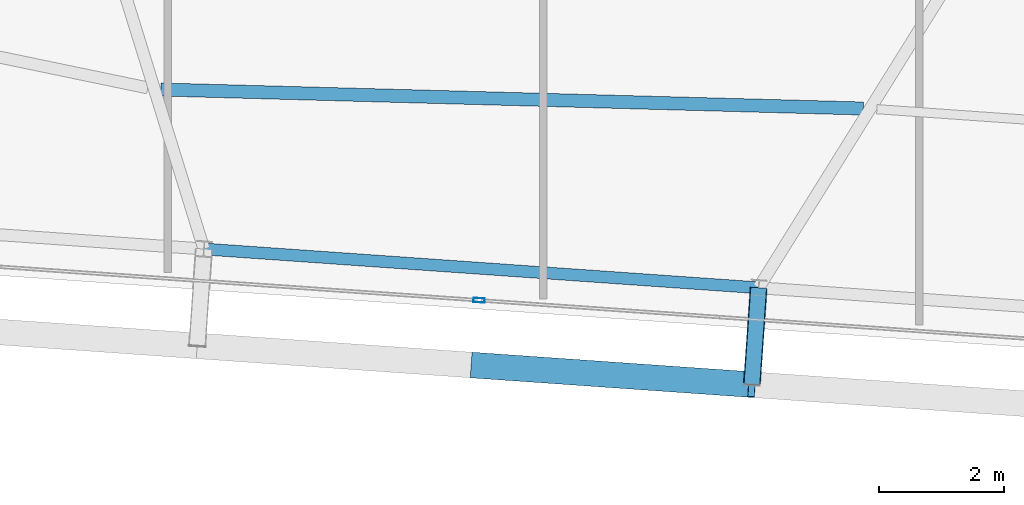
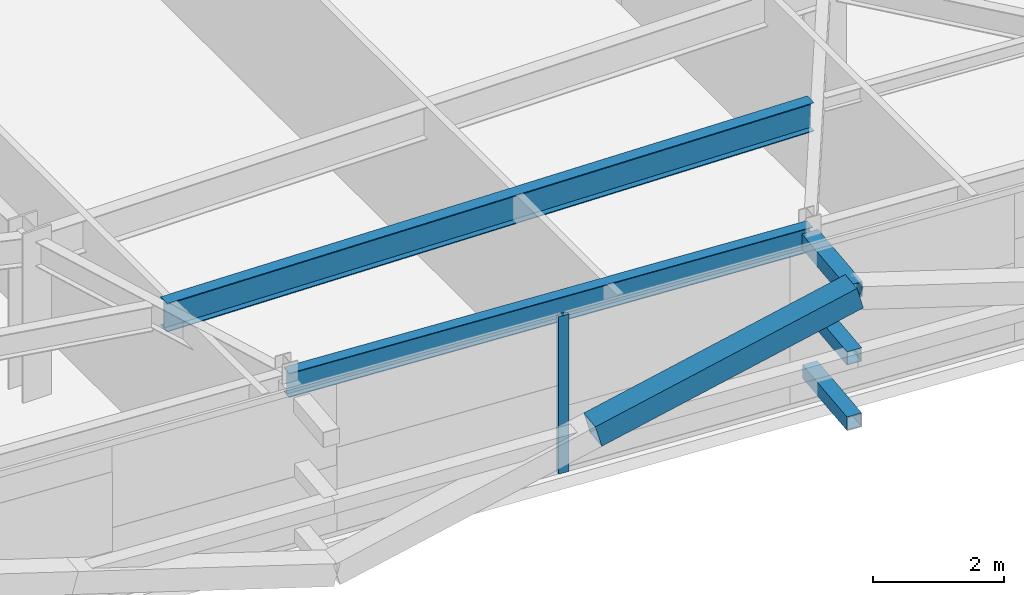
# One storey, part 9 of 39: 5 members, 2 beams, 1 element without a shape of its own.
"""IFC4 building model written with IfcOpenShell, lengths in metres."""

from ifc_helpers import new_model, si_unit, direction, frame, origin, origin_2d, place, context, subcontext, project, spatial, hollow_rectangle, i_section, extrude, source, transform, mapped, material, layer, layer_set, material_profile, profile_set, type_object, element, aggregate, save


model = new_model("IFC4")

# Units and contexts
model_context = context("Model", 3, precision=1e-05, world=origin(), true_north=direction((0.0, 1.0)))
body_context = subcontext(model_context, "Body", "Model", "MODEL_VIEW")
ifc_project = project(units=[si_unit("LENGTHUNIT", "METRE"), si_unit("AREAUNIT", "SQUARE_METRE"), si_unit("VOLUMEUNIT", "CUBIC_METRE"), si_unit("PLANEANGLEUNIT", "RADIAN"), si_unit("MASSUNIT", "GRAM", prefix="KILO")], contexts=[model_context])

# Site, building, storey
site_placement = place(None, origin())
site = spatial("IfcSite", under=ifc_project, at=site_placement, CompositionType="ELEMENT")
building_placement = place(site_placement, origin())
building = spatial("IfcBuilding", under=site, at=building_placement, Name="Taldren Reach Tower", CompositionType="ELEMENT")
storey_placement = place(building_placement, frame((0.0, 0.0, 120.39990234375)))
storey = spatial("IfcBuildingStorey", under=building, at=storey_placement, Name="L36", CompositionType="ELEMENT", Elevation=120.39990234375)

# Members
ifc_material_1 = material(Name="Steel Gr 450 (C450L0)", Category="steel")
ifc_material_profile_1 = material_profile(ifc_material_1, hollow_rectangle(XDim=0.27490234375, YDim=0.27490234375, WallThickness=0.00927734375, at=origin_2d()), Name="275x275x9.3SHS")
ifc_profile_set_1 = profile_set([ifc_material_profile_1], Name="Steel Gr 450 (C450L0)")
member_type_1 = type_object("IfcMemberType", Name="MB-TIE273", PredefinedType="STRUT", material=ifc_profile_set_1)
shared_shape_1 = source(origin(), body_context, "Body", "SweptSolid", [
    extrude(hollow_rectangle(XDim=0.27490234375, YDim=0.27490234375, WallThickness=0.00927734375, at=origin_2d()), origin(), (0.0, 0.0, 1.0), 1.550048828125),
])
member_1_placement = place(storey_placement, frame((38.438720703125, 3.480224609375, 2.650146484375), z_axis=(-0.06976957191, -0.99756313426, 0.0), x_axis=(0.99756313426, -0.06976957191, 0.0)))
element("IfcMember", 1, at=member_1_placement, inside=storey, type_object=member_type_1, Name="Exoskeleton diaphragm tie strut B3-S4 L36", PredefinedType="STRUT", context=body_context, shape_type="MappedRepresentation", body=[
    mapped(shared_shape_1, transform((0.0, 0.0, 0.0), scale=1.0)),
])
ifc_material_2 = material(Name="Steel Gr 350 (C350L0)", Category="steel")
ifc_material_profile_2 = material_profile(ifc_material_2, hollow_rectangle(XDim=0.25, YDim=0.25, WallThickness=0.010009765625, at=origin_2d()), Name="250x250x10.0SHS")
ifc_profile_set_2 = profile_set([ifc_material_profile_2], Name="Steel Gr 350 (C350L0)")
member_type_2 = type_object("IfcMemberType", Name="MB-POST250", PredefinedType="POST", material=ifc_profile_set_2)
shared_shape_2 = source(origin(), body_context, "Body", "SweptSolid", [
    extrude(hollow_rectangle(XDim=0.25, YDim=0.25, WallThickness=0.010009765625, at=origin_2d()), origin(), (0.0, 0.0, 1.0), 1.550048828125),
])
for number, where, z_axis, x_axis, name in (
    (2, (38.438720703125, 3.480224609375, 0.22021484375), (-0.06976957191, -0.99756313426, 0.0), (0.99756313426, -0.06976957191, 0.0), "Exoskeleton base diaphragm tie strut B3-S4 L36"),
    (3, (38.438720703125, 3.480224609375, 1.43505859375), (-0.06976957191, -0.99756313426, 0.0), (0.99756313426, -0.06976957191, 0.0), "Exoskeleton mid-tier diaphragm tie B3-S4 L36"),
):
    element("IfcMember", number, at=place(storey_placement, frame(where, z_axis=z_axis, x_axis=x_axis)), inside=storey, type_object=member_type_2, Name=name, PredefinedType="POST", context=body_context, shape_type="MappedRepresentation", body=[
        mapped(shared_shape_2, transform((0.0, 0.0, 0.0), scale=1.0)),
    ])

# Beams
ifc_material_3 = material(Name="Steel Gr 350 (350PLUS)", Category="steel")
ifc_material_profile_3 = material_profile(ifc_material_3, i_section(OverallWidth=0.18994140625, OverallDepth=0.4541015625, WebThickness=0.008544921875, FlangeThickness=0.0126953125, at=origin_2d()), Name="460UB67.1")
ifc_profile_set_3 = profile_set([ifc_material_profile_3], Name="Steel Gr 350 (350PLUS)")
beam_type_1 = type_object("IfcBeamType", Name="SP-UB460B", PredefinedType="SPANDREL", material=ifc_profile_set_3)
shared_shape_3 = source(origin(), body_context, "Body", "SweptSolid", [
    extrude(i_section(OverallWidth=0.18994140625, OverallDepth=0.4541015625, WebThickness=0.008544921875, FlangeThickness=0.0126953125, at=origin_2d()), origin(), (0.0, 0.0, 1.0), 8.880126953125),
])
beam_1_placement = place(storey_placement, frame((29.580322265625, 4.099609375, 2.703125), z_axis=(0.997564479639, -0.069750333063, 0.0), x_axis=(0.069750333063, 0.997564479639, 0.0)))
element("IfcBeam", 4, at=beam_1_placement, inside=storey, type_object=beam_type_1, Name="Perimeter spandrel B3 S3-S4 L36", PredefinedType="SPANDREL", context=body_context, shape_type="MappedRepresentation", body=[
    mapped(shared_shape_3, transform((0.0, 0.0, 0.0), scale=1.0)),
])
ifc_material_profile_4 = material_profile(ifc_material_3, i_section(OverallWidth=0.208984375, OverallDepth=0.532958984375, WebThickness=0.01025390625, FlangeThickness=0.015625, at=origin_2d()), Name="530UB92.4")
ifc_profile_set_4 = profile_set([ifc_material_profile_4], Name="Steel Gr 350 (350PLUS)")
beam_type_2 = type_object("IfcBeamType", Name="BM-UB530A", PredefinedType="BEAM", material=ifc_profile_set_4)
shared_shape_4 = source(origin(), body_context, "Body", "SweptSolid", [
    extrude(i_section(OverallWidth=0.208984375, OverallDepth=0.532958984375, WebThickness=0.01025390625, FlangeThickness=0.015625, at=origin_2d()), origin(), (0.0, 0.0, 1.0), 11.221923828125),
])
beam_2_placement = place(storey_placement, frame((28.890869140625, 6.64697265625, 2.66357421875), z_axis=(0.999633109536, -0.027085906272, 0.0), x_axis=(0.027085906272, 0.999633109536, 0.0)))
element("IfcBeam", 5, at=beam_2_placement, inside=storey, type_object=beam_type_2, Name="Secondary floor beam B3 J3 L36", PredefinedType="BEAM", context=body_context, shape_type="MappedRepresentation", body=[
    mapped(shared_shape_4, transform((0.0, 0.0, 0.0), scale=1.0)),
])

# Member
ifc_material_profile_5 = material_profile(ifc_material_1, hollow_rectangle(XDim=0.409912109375, YDim=0.409912109375, WallThickness=0.01611328125, at=origin_2d()), Name="410x410x16.0SHS")
ifc_profile_set_5 = profile_set([ifc_material_profile_5], Name="Steel Gr 450 (C450L0)")
member_type_3 = type_object("IfcMemberType", Name="MB-EXO406", PredefinedType="BRACE", material=ifc_profile_set_5)
shared_shape_5 = source(origin(), body_context, "Body", "SweptSolid", [
    extrude(hollow_rectangle(XDim=0.409912109375, YDim=0.409912109375, WallThickness=0.01611328125, at=origin_2d()), origin(), (0.0, 0.0, 1.0), 4.603271484375),
])
member_2_placement = place(storey_placement, frame((33.9013671875, 2.24365234375, 1.43505859375), z_axis=(0.962182351074, -0.067302910567, 0.263961060594), x_axis=(0.06977769246, 0.997562566276, 0.0)))
element("IfcMember", 6, at=member_2_placement, inside=storey, type_object=member_type_3, Name="Exoskeleton Diagrid Brace B3-S3 L36", PredefinedType="BRACE", context=body_context, shape_type="MappedRepresentation", body=[
    mapped(shared_shape_5, transform((0.0, 0.0, 0.0), scale=1.0)),
])

# Curtain wall, member
ifc_material_4 = material(Name="Aluminium and Low-E Glass Unitised System", Category="aluminium")
ifc_layer = layer(ifc_material_4, 0.159912109375)
ifc_layer_set = layer_set([ifc_layer], Name="Aluminium and Low-E Glass Unitised System")
curtain_wall_type = type_object("IfcCurtainWallType", Name="CW-SYS-4", PredefinedType="NOTDEFINED", material=ifc_layer_set)
curtain_wall_placement = place(storey_placement, origin())
curtain_wall = element("IfcCurtainWall", 7, at=curtain_wall_placement, inside=storey, type_object=curtain_wall_type, Name="Unitised curtain wall CW-L36-S", PredefinedType="NOTDEFINED")
ifc_material_5 = material(Name="Anodised Aluminium 6063-T6", Category="aluminium")
ifc_material_profile_6 = material_profile(ifc_material_5, hollow_rectangle(XDim=0.070068359375, YDim=0.179931640625, WallThickness=0.00390625, at=origin_2d()), Name="ALU-180x70x4RHS")
ifc_profile_set_6 = profile_set([ifc_material_profile_6], Name="Anodised Aluminium 6063-T6")
member_type_4 = type_object("IfcMemberType", Name="CW-MUL-180", PredefinedType="MULLION", material=ifc_profile_set_6)
shared_shape_6 = source(origin(), body_context, "Body", "SweptSolid", [
    extrude(hollow_rectangle(XDim=0.070068359375, YDim=0.179931640625, WallThickness=0.00390625, at=origin_2d()), origin(), (0.0, 0.0, 1.0), 2.93017578125),
])
member_3_placement = place(storey_placement, frame((33.973876953125, 3.281005859375, 0.0), z_axis=(0.0, 0.0, 1.0), x_axis=(0.06975651593, 0.99756404731, 0.0)))
member_3 = element("IfcMember", 8, at=member_3_placement, type_object=member_type_4, Name="CW-4 mullion 3", PredefinedType="MULLION", context=body_context, shape_type="MappedRepresentation", body=[
    mapped(shared_shape_6, transform((0.0, 0.0, 0.0), scale=1.0)),
])
aggregate(curtain_wall, [member_3])

save(model, "model.ifc")
